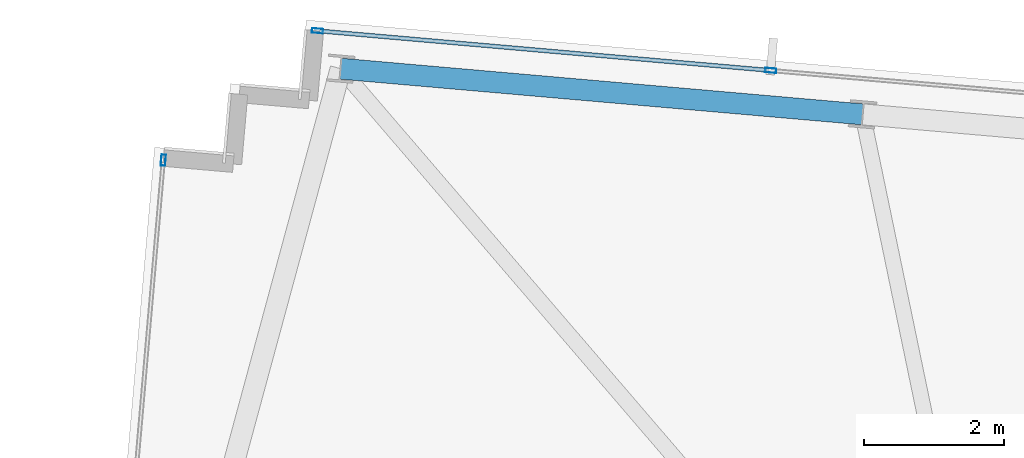
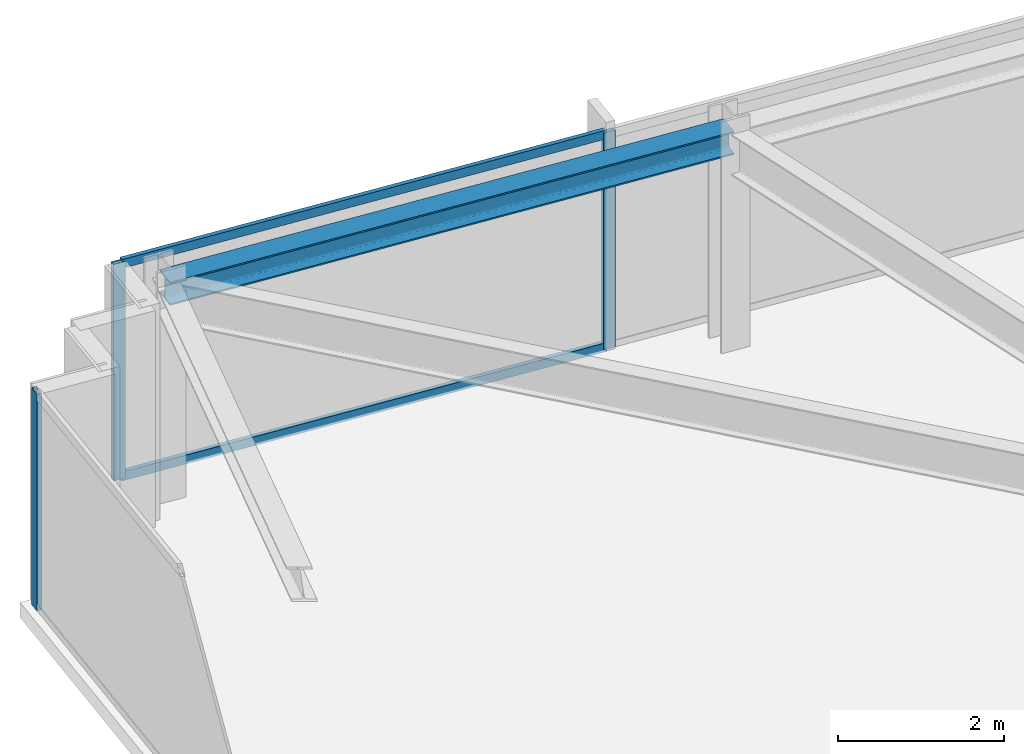
# One storey, part 23 of 32: 5 members, 1 beam, 2 elements without a shape of their own.
"""IFC4 building model written with IfcOpenShell, lengths in metres."""

from ifc_helpers import new_model, si_unit, direction, frame, origin, origin_2d, place, context, subcontext, project, spatial, hollow_rectangle, i_section, extrude, material, material_profile, profile_set, type_object, element, aggregate, save


model = new_model("IFC4")

# Units and contexts
model_context = context("Model", 3, precision=1e-05, world=origin(), true_north=direction((0.0, 1.0)))
body_context = subcontext(model_context, "Body", "Model", "MODEL_VIEW")
ifc_project = project(units=[si_unit("LENGTHUNIT", "METRE"), si_unit("AREAUNIT", "SQUARE_METRE"), si_unit("VOLUMEUNIT", "CUBIC_METRE"), si_unit("PLANEANGLEUNIT", "RADIAN"), si_unit("MASSUNIT", "GRAM", prefix="KILO")], contexts=[model_context])

# Site, building, storey
site_placement = place(None, origin())
site = spatial("IfcSite", under=ifc_project, at=site_placement, CompositionType="ELEMENT")
building_placement = place(site_placement, origin())
building = spatial("IfcBuilding", under=site, at=building_placement, Name="Yelkora Congress Tower", CompositionType="ELEMENT")
storey_placement = place(building_placement, frame((0.0, 0.0, 269.300048828125)))
storey = spatial("IfcBuildingStorey", under=building, at=storey_placement, Name="L75", CompositionType="ELEMENT", Elevation=269.300048828125)

# Beam
ifc_material_1 = material(Name="Steel S355J2", Category="steel")
ifc_material_profile_1 = material_profile(ifc_material_1, i_section(OverallWidth=0.300048828125, OverallDepth=0.340087890625, WebThickness=0.011962890625, FlangeThickness=0.021484375, FilletRadius=0.027099609375, at=origin_2d()), Name="HEB 340")
ifc_profile_set_1 = profile_set([ifc_material_profile_1], Name="Steel S355J2")
beam_type = type_object("IfcBeamType", Name="BM-SPAN-HEB340", PredefinedType="SPANDREL", material=ifc_profile_set_1)
beam_placement = place(storey_placement, frame((18.058837890625, 49.231689453125, 3.010009765625), z_axis=(-0.996193186297, 0.08717302092, 0.0), x_axis=(-0.08717302092, -0.996193186297, 0.0)))
element("IfcBeam", 1, at=beam_placement, inside=storey, type_object=beam_type, Name="L75 Perimeter Beam 12", PredefinedType="SPANDREL", context=body_context, shape_type="SweptSolid", body=[
    extrude(i_section(OverallWidth=0.300048828125, OverallDepth=0.340087890625, WebThickness=0.011962890625, FlangeThickness=0.021484375, FilletRadius=0.027099609375, at=origin_2d()), origin(), (0.0, 0.0, 1.0), 7.4833984375),
])

# Curtain wall, member
ifc_material_2 = material(Name="Anodised aluminium and insulated glass", Category="aluminium")
curtain_wall_type = type_object("IfcCurtainWallType", Name="CW-SYS-B5", PredefinedType="NOTDEFINED", material=ifc_material_2)
curtain_wall_1_placement = place(storey_placement, origin())
curtain_wall_1 = element("IfcCurtainWall", 2, at=curtain_wall_1_placement, inside=storey, type_object=curtain_wall_type, Name="L75 Unitised Curtain Wall 5", PredefinedType="NOTDEFINED")
ifc_material_3 = material(Name="Anodised aluminium 6063-T6", Category="aluminium")
ifc_material_profile_2 = material_profile(ifc_material_3, hollow_rectangle(XDim=0.06494140625, YDim=0.159912109375, WallThickness=0.00390625, at=origin_2d()), Name="ALU 65x160x4")
ifc_profile_set_2 = profile_set([ifc_material_profile_2], Name="Anodised aluminium 6063-T6")
member_type_1 = type_object("IfcMemberType", Name="MEM-ML-B5", PredefinedType="MULLION", material=ifc_profile_set_2)
member_1_placement = place(storey_placement, frame((8.070556640625, 48.577392578125, 0.0), z_axis=(0.0, 0.0, 1.0), x_axis=(-0.996194785929, 0.08715473876, 0.0)))
member_1 = element("IfcMember", 3, at=member_1_placement, type_object=member_type_1, Name="CW-B5 mullion 5", PredefinedType="MULLION", context=body_context, shape_type="SweptSolid", body=[
    extrude(hollow_rectangle(XDim=0.06494140625, YDim=0.159912109375, WallThickness=0.00390625, at=origin_2d()), origin(), (0.0, 0.0, 1.0), 3.179931640625),
])
aggregate(curtain_wall_1, [member_1])

# Curtain wall, members
curtain_wall_2_placement = place(storey_placement, origin())
curtain_wall_2 = element("IfcCurtainWall", 4, at=curtain_wall_2_placement, inside=storey, type_object=curtain_wall_type, Name="L75 Unitised Curtain Wall 10", PredefinedType="NOTDEFINED")
member_2_placement = place(storey_placement, frame((10.2724609375, 50.425048828125, 0.0), z_axis=(0.0, 0.0, 1.0), x_axis=(0.087156639893, 0.996194619601, 0.0)))
member_2 = element("IfcMember", 5, at=member_2_placement, type_object=member_type_1, Name="CW-B5 mullion 1", PredefinedType="MULLION", context=body_context, shape_type="SweptSolid", body=[
    extrude(hollow_rectangle(XDim=0.06494140625, YDim=0.159912109375, WallThickness=0.00390625, at=origin_2d()), origin(), (0.0, 0.0, 1.0), 3.179931640625),
])
member_3_placement = place(storey_placement, frame((16.74658203125, 49.858642578125, 0.0), z_axis=(0.0, 0.0, 1.0), x_axis=(0.087156639893, 0.996194619601, 0.0)))
member_3 = element("IfcMember", 6, at=member_3_placement, type_object=member_type_1, Name="CW-B5 mullion 2", PredefinedType="MULLION", context=body_context, shape_type="SweptSolid", body=[
    extrude(hollow_rectangle(XDim=0.06494140625, YDim=0.159912109375, WallThickness=0.00390625, at=origin_2d()), origin(), (0.0, 0.0, 1.0), 3.179931640625),
])
ifc_material_profile_3 = material_profile(ifc_material_3, hollow_rectangle(XDim=0.06005859375, YDim=0.1298828125, WallThickness=0.00390625, at=origin_2d()), Name="ALU 60x130x4")
ifc_profile_set_3 = profile_set([ifc_material_profile_3], Name="Anodised aluminium 6063-T6")
member_type_2 = type_object("IfcMemberType", Name="MEM-TR-B5", PredefinedType="USERDEFINED", material=ifc_profile_set_3)
member_4_placement = place(storey_placement, frame((10.3046875, 50.422119140625, 0.030029296875), z_axis=(0.996194170551, -0.08716177236, 0.0), x_axis=(0.08716177236, 0.996194170551, 0.0)))
member_4 = element("IfcMember", 7, at=member_4_placement, type_object=member_type_2, Name="CW-B5 transom 1.1", ObjectType="TRANSOM", PredefinedType="USERDEFINED", context=body_context, shape_type="SweptSolid", body=[
    extrude(hollow_rectangle(XDim=0.06005859375, YDim=0.1298828125, WallThickness=0.00390625, at=origin_2d()), origin(), (0.0, 0.0, 1.0), 6.433837890625),
])
member_5_placement = place(storey_placement, frame((10.3046875, 50.422119140625, 3.14990234375), z_axis=(0.996194170551, -0.08716177236, 0.0), x_axis=(0.08716177236, 0.996194170551, 0.0)))
member_5 = element("IfcMember", 8, at=member_5_placement, type_object=member_type_2, Name="CW-B5 transom 1.2", ObjectType="TRANSOM", PredefinedType="USERDEFINED", context=body_context, shape_type="SweptSolid", body=[
    extrude(hollow_rectangle(XDim=0.06005859375, YDim=0.1298828125, WallThickness=0.00390625, at=origin_2d()), origin(), (0.0, 0.0, 1.0), 6.433837890625),
])
aggregate(curtain_wall_2, [member_2, member_3, member_4, member_5])

save(model, "model.ifc")
